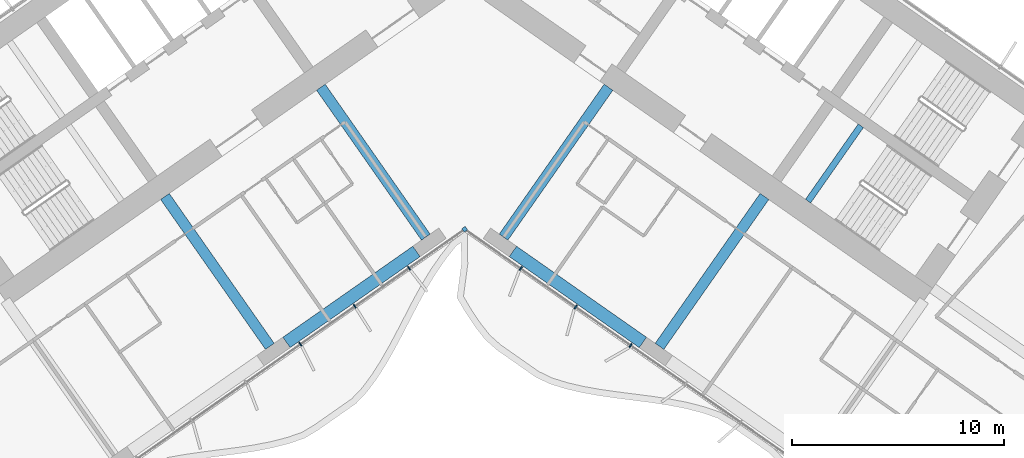
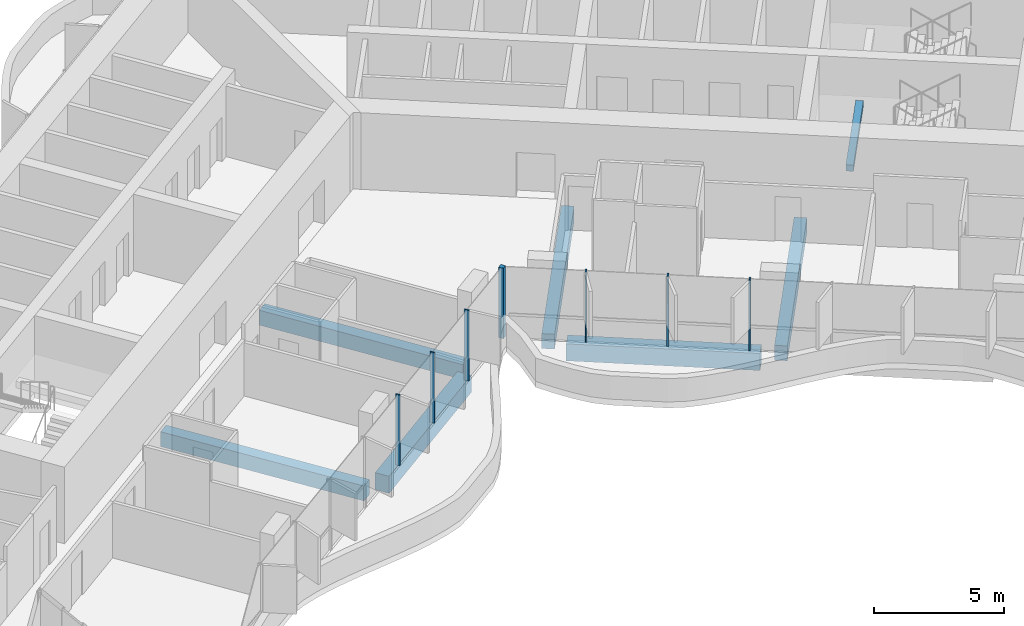
# One storey, part 6 of 25: 7 beams, 7 members, 1 element without a shape of its own.
"""IFC4 building model written with IfcOpenShell, lengths in metres."""

from ifc_helpers import new_model, si_unit, direction, frame, origin, origin_2d, place, context, subcontext, project, spatial, rectangle, extrude, material, material_profile, profile_set, type_object, element, aggregate, save


model = new_model("IFC4")

# Units and contexts
model_context = context("Model", 3, precision=1e-05, world=origin(), true_north=direction((0.0, 1.0)))
body_context = subcontext(model_context, "Body", "Model", "MODEL_VIEW")
ifc_project = project(units=[si_unit("LENGTHUNIT", "METRE"), si_unit("AREAUNIT", "SQUARE_METRE"), si_unit("VOLUMEUNIT", "CUBIC_METRE"), si_unit("PLANEANGLEUNIT", "RADIAN"), si_unit("MASSUNIT", "GRAM", prefix="KILO")], contexts=[model_context])

# Site, building, storey
site_placement = place(None, origin())
site = spatial("IfcSite", under=ifc_project, at=site_placement, CompositionType="ELEMENT")
building_placement = place(site_placement, origin())
building = spatial("IfcBuilding", under=site, at=building_placement, Name="Tel Ilan Convention Tower", CompositionType="ELEMENT")
storey_placement = place(building_placement, frame((0.0, 0.0, 76.10009765625)))
storey = spatial("IfcBuildingStorey", under=building, at=storey_placement, Name="L14", CompositionType="ELEMENT", Elevation=76.10009765625)

# Beams
ifc_material_1 = material(Name="Concrete C40/50", Category="concrete")
ifc_material_profile_1 = material_profile(ifc_material_1, rectangle(XDim=0.5, YDim=0.699951171875, at=origin_2d()), Name="RC 500x700")
ifc_profile_set_1 = profile_set([ifc_material_profile_1], Name="Concrete C40/50")
beam_type_1 = type_object("IfcBeamType", Name="Beam RC 500x700 Concrete C40/50", PredefinedType="BEAM", material=ifc_profile_set_1)
for number, where, z_axis, x_axis, name in (
    (1, (-1.83740234375, -13.06689453125, -0.630126953125), (-0.573574099654, 0.819153680457, 0.0), (-0.819153680457, -0.573574099654, 0.0), "L14 beam W-W-F1-core"),
    (2, (-9.209716796875, -18.229248046875, -0.630126953125), (-0.573574099654, 0.819153680457, 0.0), (-0.819153680457, -0.573574099654, 0.0), "L14 beam W-W-F2-core"),
    (3, (1.83740234375, -13.06689453125, -0.630126953125), (0.573574099654, 0.819153680457, 0.0), (-0.819153680457, 0.573574099654, 0.0), "L14 beam E-E-F1-core"),
    (4, (9.209716796875, -18.229248046875, -0.630126953125), (0.573574099654, 0.819153680457, 0.0), (-0.819153680457, 0.573574099654, 0.0), "L14 beam E-E-F2-core"),
):
    element("IfcBeam", number, at=place(storey_placement, frame(where, z_axis=z_axis, x_axis=x_axis)), inside=storey, type_object=beam_type_1, Name=name, PredefinedType="BEAM", context=body_context, shape_type="SweptSolid", body=[
        extrude(rectangle(XDim=0.5, YDim=0.699951171875, at=origin_2d()), origin(), (0.0, 0.0, 1.0), 8.64990234375),
    ])
ifc_material_2 = material(Name="Concrete C40/50", Category="concrete")
ifc_material_profile_2 = material_profile(ifc_material_2, rectangle(XDim=0.60009765625, YDim=0.800048828125, at=origin_2d()), Name="RC 600x800")
ifc_profile_set_2 = profile_set([ifc_material_profile_2], Name="Concrete C40/50")
beam_type_2 = type_object("IfcBeamType", Name="Beam RC 600x800 Concrete C40/50", PredefinedType="BEAM", material=ifc_profile_set_2)
for number, where, z_axis, x_axis, name in (
    (5, (-2.279541015625, -13.742919921875, -0.68017578125), (-0.819147803225, -0.57358249317, 0.0), (0.57358249317, -0.819147803225, 0.0), "L14 beam W-W-F1-W-F2"),
    (6, (2.279541015625, -13.742919921875, -0.68017578125), (0.819147803225, -0.57358249317, 0.0), (0.57358249317, 0.819147803225, 0.0), "L14 beam E-E-F1-E-F2"),
):
    element("IfcBeam", number, at=place(storey_placement, frame(where, z_axis=z_axis, x_axis=x_axis)), inside=storey, type_object=beam_type_2, Name=name, PredefinedType="BEAM", context=body_context, shape_type="SweptSolid", body=[
        extrude(rectangle(XDim=0.60009765625, YDim=0.800048828125, at=origin_2d()), origin(), (0.0, 0.0, 1.0), 7.500244140625),
    ])

# Curtain wall, members
ifc_material_3 = material(Name="Aluminium, bronze anodised", Category="aluminium")
curtain_wall_type = type_object("IfcCurtainWallType", Name="CW1 UNITISED CURTAIN WALL, HOTEL TINTED GLASS", PredefinedType="NOTDEFINED", material=ifc_material_3)
curtain_wall_placement = place(storey_placement, origin())
curtain_wall = element("IfcCurtainWall", 7, at=curtain_wall_placement, inside=storey, type_object=curtain_wall_type, Name="Curtain wall CW1-14.06", PredefinedType="NOTDEFINED")
ifc_material_4 = material(Name="Aluminium, bronze anodised", Category="aluminium")
ifc_material_profile_3 = material_profile(ifc_material_4, rectangle(XDim=0.199951171875, YDim=0.199951171875, at=origin_2d()), Name="CW CORNER MULLION 200x200")
ifc_profile_set_3 = profile_set([ifc_material_profile_3], Name="Aluminium, bronze anodised")
member_type_1 = type_object("IfcMemberType", Name="CW CORNER MULLION 200x200", PredefinedType="MULLION", material=ifc_profile_set_3)
member_1_placement = place(storey_placement, frame((0.0, -12.696044921875, 0.0), z_axis=(0.0, 0.0, 1.0), x_axis=(0.819152044289, 0.573576436351, 0.0)))
member_1 = element("IfcMember", 8, at=member_1_placement, type_object=member_type_1, Name="Corner mullion", PredefinedType="MULLION", context=body_context, shape_type="SweptSolid", body=[
    extrude(rectangle(XDim=0.199951171875, YDim=0.199951171875, at=origin_2d()), origin(), (0.0, 0.0, 1.0), 3.31982421875),
])
ifc_material_5 = material(Name="Aluminium, bronze anodised", Category="aluminium")
ifc_material_profile_4 = material_profile(ifc_material_5, rectangle(XDim=0.06005859375, YDim=0.199951171875, at=origin_2d()), Name="CW MULLION 60x200")
ifc_profile_set_4 = profile_set([ifc_material_profile_4], Name="Aluminium, bronze anodised")
member_type_2 = type_object("IfcMemberType", Name="CW MULLION 60x200", PredefinedType="MULLION", material=ifc_profile_set_4)
member_2_placement = place(storey_placement, frame((-7.76708984375, -18.134765625, 0.0), z_axis=(0.0, 0.0, 1.0), x_axis=(0.819152044289, 0.573576436351, 0.0)))
member_2 = element("IfcMember", 9, at=member_2_placement, type_object=member_type_2, Name="Mullion", PredefinedType="MULLION", context=body_context, shape_type="SweptSolid", body=[
    extrude(rectangle(XDim=0.06005859375, YDim=0.199951171875, at=origin_2d()), origin(), (0.0, 0.0, 1.0), 3.31982421875),
])
member_3_placement = place(storey_placement, frame((-5.197265625, -16.335205078125, 0.0), z_axis=(0.0, 0.0, 1.0), x_axis=(0.819152044289, 0.573576436351, 0.0)))
member_3 = element("IfcMember", 10, at=member_3_placement, type_object=member_type_2, Name="Mullion", PredefinedType="MULLION", context=body_context, shape_type="SweptSolid", body=[
    extrude(rectangle(XDim=0.06005859375, YDim=0.199951171875, at=origin_2d()), origin(), (0.0, 0.0, 1.0), 3.31982421875),
])
member_4_placement = place(storey_placement, frame((-2.627197265625, -14.53564453125, 0.0), z_axis=(0.0, 0.0, 1.0), x_axis=(0.819152044289, 0.573576436351, 0.0)))
member_4 = element("IfcMember", 11, at=member_4_placement, type_object=member_type_2, Name="Mullion", PredefinedType="MULLION", context=body_context, shape_type="SweptSolid", body=[
    extrude(rectangle(XDim=0.06005859375, YDim=0.199951171875, at=origin_2d()), origin(), (0.0, 0.0, 1.0), 3.31982421875),
])
member_5_placement = place(storey_placement, frame((2.65234375, -14.55322265625, 0.0), z_axis=(0.0, 0.0, 1.0), x_axis=(0.819152044289, -0.573576436351, 0.0)))
member_5 = element("IfcMember", 12, at=member_5_placement, type_object=member_type_2, Name="Mullion", PredefinedType="MULLION", context=body_context, shape_type="SweptSolid", body=[
    extrude(rectangle(XDim=0.06005859375, YDim=0.199951171875, at=origin_2d()), origin(), (0.0, 0.0, 1.0), 3.31982421875),
])
member_6_placement = place(storey_placement, frame((5.24755859375, -16.370361328125, 0.0), z_axis=(0.0, 0.0, 1.0), x_axis=(0.819152044289, -0.573576436351, 0.0)))
member_6 = element("IfcMember", 13, at=member_6_placement, type_object=member_type_2, Name="Mullion", PredefinedType="MULLION", context=body_context, shape_type="SweptSolid", body=[
    extrude(rectangle(XDim=0.06005859375, YDim=0.199951171875, at=origin_2d()), origin(), (0.0, 0.0, 1.0), 3.31982421875),
])
member_7_placement = place(storey_placement, frame((7.842529296875, -18.1875, 0.0), z_axis=(0.0, 0.0, 1.0), x_axis=(0.819152044289, -0.573576436351, 0.0)))
member_7 = element("IfcMember", 14, at=member_7_placement, type_object=member_type_2, Name="Mullion", PredefinedType="MULLION", context=body_context, shape_type="SweptSolid", body=[
    extrude(rectangle(XDim=0.06005859375, YDim=0.199951171875, at=origin_2d()), origin(), (0.0, 0.0, 1.0), 3.31982421875),
])
aggregate(curtain_wall, [member_2, member_3, member_4, member_1, member_5, member_6, member_7])

# Beam
ifc_material_6 = material(Name="Concrete C40/50", Category="concrete")
ifc_material_profile_5 = material_profile(ifc_material_6, rectangle(XDim=0.300048828125, YDim=0.300048828125, at=origin_2d()), Name="RC 300x300")
ifc_profile_set_5 = profile_set([ifc_material_profile_5], Name="Concrete C40/50")
beam_type_3 = type_object("IfcBeamType", Name="Landing Beam RC 300x300 Concrete C40/50", PredefinedType="BEAM", material=ifc_profile_set_5)
beam_placement = place(storey_placement, frame((18.726806640625, -7.80224609375, 1.449951171875), z_axis=(-0.573594173421, -0.819139624372, 0.0), x_axis=(0.819139624372, -0.573594173421, 0.0)))
element("IfcBeam", 15, at=beam_placement, inside=storey, type_object=beam_type_3, Name="S4 landing beam L14.1", PredefinedType="BEAM", context=body_context, shape_type="SweptSolid", body=[
    extrude(rectangle(XDim=0.300048828125, YDim=0.300048828125, at=origin_2d()), origin(), (0.0, 0.0, 1.0), 4.349853515625),
])

save(model, "model.ifc")
